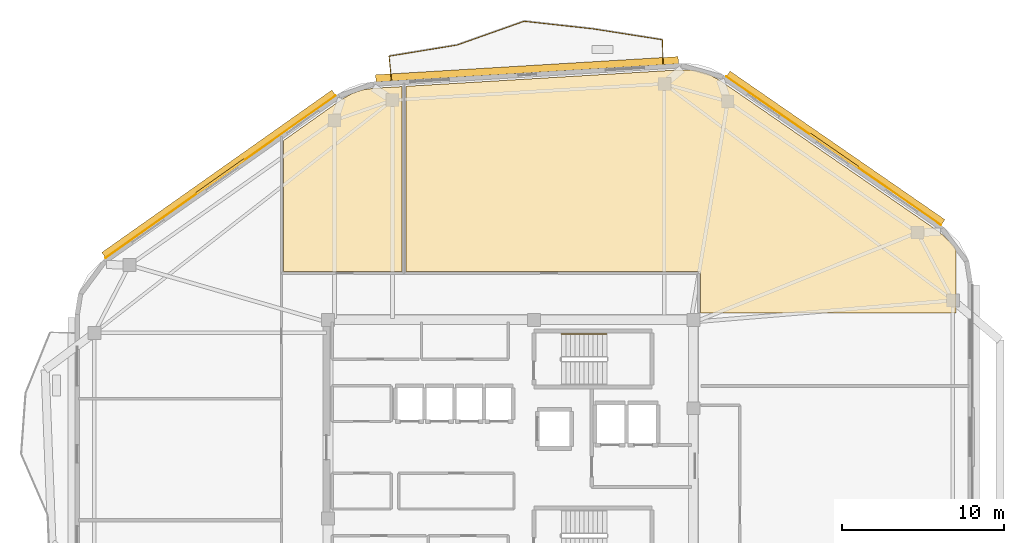
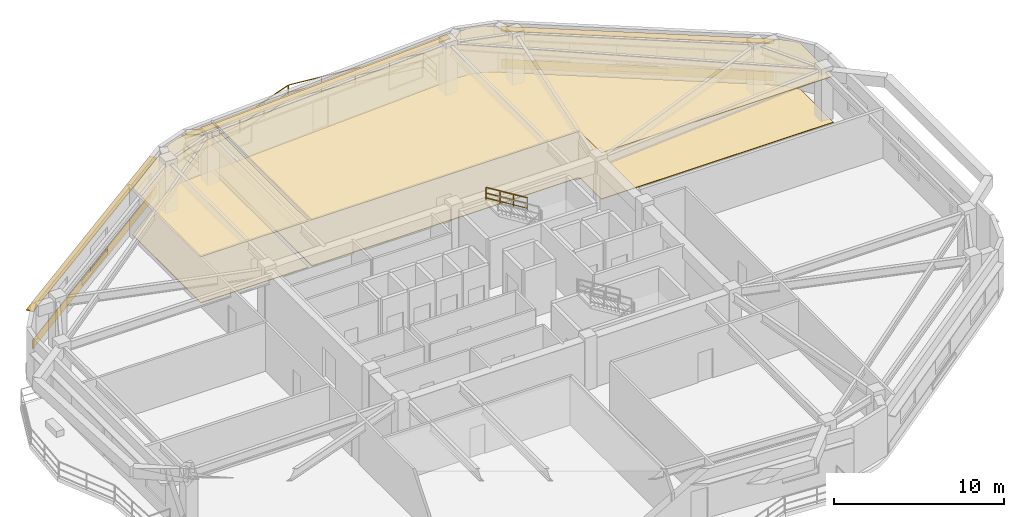
# One storey, part 9 of 9: 7 railings, 6 coverings, 5 shading devices.
"""IFC4 building model written with IfcOpenShell, lengths in metres."""

from ifc_helpers import new_model, si_unit, direction, frame, origin, origin_2d, place, context, subcontext, project, spatial, polyline, rectangle, outline, extrude, material, layer, layer_set, type_object, element, save


model = new_model("IFC4")

# Units and contexts
model_context = context("Model", 3, precision=1e-05, world=origin(), true_north=direction((0.0, 1.0)))
body_context = subcontext(model_context, "Body", "Model", "MODEL_VIEW")
ifc_project = project(units=[si_unit("LENGTHUNIT", "METRE"), si_unit("AREAUNIT", "SQUARE_METRE"), si_unit("VOLUMEUNIT", "CUBIC_METRE"), si_unit("PLANEANGLEUNIT", "RADIAN"), si_unit("MASSUNIT", "GRAM", prefix="KILO")], contexts=[model_context])

# Site, building, storey
site_placement = place(None, origin())
site = spatial("IfcSite", under=ifc_project, at=site_placement, CompositionType="ELEMENT")
building_placement = place(site_placement, origin())
building = spatial("IfcBuilding", under=site, at=building_placement, Name="Zulverin Broadcast Headquarters", CompositionType="ELEMENT")
storey_placement = place(building_placement, frame((0.0, 0.0, 259.199951171875)))
storey = spatial("IfcBuildingStorey", under=building, at=storey_placement, Name="L66", CompositionType="ELEMENT", Elevation=259.199951171875)

# Coverings
ifc_material_1 = material(Name="Perforated pale-metal acoustic baffle ceiling", Category="aluminium")
ifc_layer_1 = layer(ifc_material_1, 0.0400390625, Name="Perforated pale-metal acoustic baffle ceiling", Category="aluminium")
ifc_layer_set_1 = layer_set([ifc_layer_1], Name="Perforated pale-metal acoustic baffle ceiling")
covering_type_1 = type_object("IfcCoveringType", Name="COV-CEIL-ACOU", PredefinedType="CEILING", material=ifc_layer_set_1)
covering_1_placement = place(storey_placement, frame((0.0, 0.0, 3.330078125)))
element("IfcCovering", 1, at=covering_1_placement, inside=storey, type_object=covering_type_1, Name="L66 Acoustic Baffle Ceiling 01", PredefinedType="CEILING", context=body_context, shape_type="SweptSolid", body=[
    extrude(outline(polyline([(30.280029296875, 36.068115234375), (30.280029296875, 47.47607421875), (28.52392578125, 47.3720703125), (27.827880859375, 47.26806640625), (27.18798828125, 47.0400390625), (26.575927734375, 46.69189453125), (22.968017578125, 44.139892578125), (22.968017578125, 36.068115234375), (30.280029296875, 36.068115234375)])), origin(), (0.0, 0.0, 1.0), 0.0400390625),
])
covering_2_placement = place(storey_placement, frame((0.0, 0.0, 3.330078125)))
element("IfcCovering", 2, at=covering_2_placement, inside=storey, type_object=covering_type_1, Name="L66 Acoustic Baffle Ceiling 02", PredefinedType="CEILING", context=body_context, shape_type="SweptSolid", body=[
    extrude(outline(polyline([(49.18798828125, 48.251953125), (48.39990234375, 48.471923828125), (47.56005859375, 48.51611328125), (30.52001953125, 47.491943359375), (30.52001953125, 36.072021484375), (48.56005859375, 36.068115234375), (48.575927734375, 36.068115234375), (48.587890625, 36.068115234375), (48.60009765625, 36.06396484375), (48.60791015625, 36.06396484375), (48.6201171875, 36.06005859375), (48.6279296875, 36.055908203125), (48.635986328125, 36.052001953125), (48.64794921875, 36.0439453125), (48.659912109375, 36.035888671875), (48.66796875, 36.028076171875), (48.676025390625, 36.02001953125), (48.68408203125, 36.011962890625), (48.69189453125, 36.0), (48.699951171875, 35.988037109375), (48.7041015625, 35.97998046875), (48.7080078125, 35.971923828125), (48.7119140625, 35.964111328125), (48.716064453125, 35.951904296875), (48.716064453125, 35.944091796875), (48.719970703125, 35.931884765625), (48.719970703125, 35.919921875), (48.719970703125, 33.5), (64.5, 33.5), (64.5, 37.364013671875), (64.35595703125, 37.64404296875), (63.47607421875, 38.488037109375), (49.924072265625, 47.85205078125), (49.18798828125, 48.251953125)])), origin(), (0.0, 0.0, 1.0), 0.0400390625),
])
ifc_material_2 = material(Name="Brushed pale-aluminium rainscreen cladding", Category="aluminium")
ifc_layer_2 = layer(ifc_material_2, 0.0400390625, Name="Brushed pale-aluminium rainscreen cladding", Category="aluminium")
ifc_layer_set_2 = layer_set([ifc_layer_2], Name="Brushed pale-aluminium rainscreen cladding")
covering_type_2 = type_object("IfcCoveringType", Name="COV-CLAD-PALE", PredefinedType="CLADDING", material=ifc_layer_set_2)
covering_3_placement = place(storey_placement, frame((56.938232421875, 43.505126953125, 0.05517578125), z_axis=(0.0, 0.0, 1.0), x_axis=(-0.822655402653, 0.568540313861, 0.0)))
element("IfcCovering", 3, at=covering_3_placement, inside=storey, type_object=covering_type_2, Name="L66 Brushed Pale-Aluminium Spandrel Cladding 4", PredefinedType="CLADDING", context=body_context, shape_type="SweptSolid", body=[
    extrude(rectangle(XDim=16.1279296875, YDim=0.0400390625, at=origin_2d()), origin(), (0.0, 0.0, 1.0), 0.64990234375),
])
covering_4_placement = place(storey_placement, frame((19.093505859375, 41.9091796875, 0.05517578125), z_axis=(0.0, 0.0, 1.0), x_axis=(-0.817023146348, -0.576604871929, 0.0)))
element("IfcCovering", 4, at=covering_4_placement, inside=storey, type_object=covering_type_2, Name="L66 Brushed Pale-Aluminium Spandrel Cladding 6", PredefinedType="CLADDING", context=body_context, shape_type="SweptSolid", body=[
    extrude(rectangle(XDim=17.3798828125, YDim=0.0400390625, at=origin_2d()), origin(), (0.0, 0.0, 1.0), 0.64990234375),
])
ifc_material_3 = material(Name="Anti-static broadcast raised access flooring", Category="stone")
ifc_layer_3 = layer(ifc_material_3, 0.050048828125, Name="Anti-static broadcast raised access flooring", Category="stone")
ifc_layer_set_3 = layer_set([ifc_layer_3], Name="Anti-static broadcast raised access flooring")
covering_type_3 = type_object("IfcCoveringType", Name="COV-FLR-RAISED", PredefinedType="FLOORING", material=ifc_layer_set_3)
covering_5_placement = place(storey_placement, origin())
element("IfcCovering", 5, at=covering_5_placement, inside=storey, type_object=covering_type_3, Name="L66 Broadcast Raised Access Flooring 01", PredefinedType="FLOORING", context=body_context, shape_type="SweptSolid", body=[
    extrude(outline(polyline([(30.280029296875, 36.068115234375), (30.280029296875, 47.47607421875), (28.52392578125, 47.3720703125), (27.827880859375, 47.26806640625), (27.18798828125, 47.0400390625), (26.575927734375, 46.69189453125), (22.968017578125, 44.139892578125), (22.968017578125, 36.068115234375), (30.280029296875, 36.068115234375)])), origin(), (0.0, 0.0, 1.0), 0.050048828125),
])
covering_6_placement = place(storey_placement, origin())
element("IfcCovering", 6, at=covering_6_placement, inside=storey, type_object=covering_type_3, Name="L66 Broadcast Raised Access Flooring 02", PredefinedType="FLOORING", context=body_context, shape_type="SweptSolid", body=[
    extrude(outline(polyline([(49.18798828125, 48.251953125), (48.39990234375, 48.471923828125), (47.56005859375, 48.51611328125), (30.52001953125, 47.491943359375), (30.52001953125, 36.072021484375), (48.56005859375, 36.068115234375), (48.575927734375, 36.068115234375), (48.587890625, 36.068115234375), (48.60009765625, 36.06396484375), (48.60791015625, 36.06396484375), (48.6201171875, 36.06005859375), (48.6279296875, 36.055908203125), (48.635986328125, 36.052001953125), (48.64794921875, 36.0439453125), (48.659912109375, 36.035888671875), (48.66796875, 36.028076171875), (48.676025390625, 36.02001953125), (48.68408203125, 36.011962890625), (48.69189453125, 36.0), (48.699951171875, 35.988037109375), (48.7041015625, 35.97998046875), (48.7080078125, 35.971923828125), (48.7119140625, 35.964111328125), (48.716064453125, 35.951904296875), (48.716064453125, 35.944091796875), (48.719970703125, 35.931884765625), (48.719970703125, 35.919921875), (48.719970703125, 33.5), (64.5, 33.5), (64.5, 37.364013671875), (64.35595703125, 37.64404296875), (63.47607421875, 38.488037109375), (49.924072265625, 47.85205078125), (49.18798828125, 48.251953125)])), origin(), (0.0, 0.0, 1.0), 0.050048828125),
])

# Railings
ifc_material_4 = material(Name="Brushed stainless steel & laminated glass balustrade", Category="steel")
railing_type_1 = type_object("IfcRailingType", Name="RL-GUARD-1150", PredefinedType="GUARDRAIL", material=ifc_material_4)
railing_1_placement = place(storey_placement, frame((46.397216796875, 48.885498046875, 0.0)))
element("IfcRailing", 7, at=railing_1_placement, inside=storey, type_object=railing_type_1, Name="L66 Vertical-Forest Balcony Guardrail BAL_N Segment 01", PredefinedType="GUARDRAIL", context=body_context, shape_type="SweptSolid", body=[
    extrude(rectangle(XDim=0.048095703125, YDim=0.048095703125, at=origin_2d()), frame((0.0, 0.0, 1.1259765625), z_axis=(-0.019480066399, 0.999810245503, 0.0), x_axis=(-0.999810245503, -0.019480066399, 0.0)), (0.0, 0.0, 1.0), 1.46630859375),
    extrude(rectangle(XDim=0.0419921875, YDim=0.0419921875, at=origin_2d()), frame((0.0, 0.0, 0.597900390625), z_axis=(-0.019480066399, 0.999810245503, 0.0), x_axis=(-0.999810245503, -0.019480066399, 0.0)), (0.0, 0.0, 1.0), 1.46630859375),
    extrude(rectangle(XDim=0.0419921875, YDim=0.0419921875, at=origin_2d()), frame((0.0, 0.0, 0.1201171875), z_axis=(-0.019480066399, 0.999810245503, 0.0), x_axis=(-0.999810245503, -0.019480066399, 0.0)), (0.0, 0.0, 1.0), 1.46630859375),
    extrude(rectangle(XDim=0.0419921875, YDim=0.0419921875, at=origin_2d()), origin(), (0.0, 0.0, 1.0), 1.101806640625),
    extrude(rectangle(XDim=0.0419921875, YDim=0.0419921875, at=origin_2d()), frame((-0.028564453125, 1.466064453125, 0.0)), (0.0, 0.0, 1.0), 1.101806640625),
])
railing_2_placement = place(storey_placement, frame((46.353515625, 50.368896484375, 0.0)))
element("IfcRailing", 8, at=railing_2_placement, inside=storey, type_object=railing_type_1, Name="L66 Vertical-Forest Balcony Guardrail BAL_N Segment 02", PredefinedType="GUARDRAIL", context=body_context, shape_type="SweptSolid", body=[
    extrude(rectangle(XDim=0.048095703125, YDim=0.048095703125, at=origin_2d()), frame((0.0, 0.0, 1.1259765625), z_axis=(-0.987859947103, 0.155347111047, 0.0), x_axis=(-0.155347111047, -0.987859947103, 0.0)), (0.0, 0.0, 1.0), 4.29833984375),
    extrude(rectangle(XDim=0.0419921875, YDim=0.0419921875, at=origin_2d()), frame((0.0, 0.0, 0.597900390625), z_axis=(-0.987859947103, 0.155347111047, 0.0), x_axis=(-0.155347111047, -0.987859947103, 0.0)), (0.0, 0.0, 1.0), 4.29833984375),
    extrude(rectangle(XDim=0.0419921875, YDim=0.0419921875, at=origin_2d()), frame((0.0, 0.0, 0.1201171875), z_axis=(-0.987859947103, 0.155347111047, 0.0), x_axis=(-0.155347111047, -0.987859947103, 0.0)), (0.0, 0.0, 1.0), 4.29833984375),
    extrude(rectangle(XDim=0.0419921875, YDim=0.0419921875, at=origin_2d()), origin(), (0.0, 0.0, 1.0), 1.101806640625),
    extrude(rectangle(XDim=0.0419921875, YDim=0.0419921875, at=origin_2d()), frame((-2.123046875, 0.333984375, 0.0)), (0.0, 0.0, 1.0), 1.101806640625),
    extrude(rectangle(XDim=0.0419921875, YDim=0.0419921875, at=origin_2d()), frame((-4.24609375, 0.667724609375, 0.0)), (0.0, 0.0, 1.0), 1.101806640625),
])
railing_3_placement = place(storey_placement, frame((42.07763671875, 51.04052734375, 0.0)))
element("IfcRailing", 9, at=railing_3_placement, inside=storey, type_object=railing_type_1, Name="L66 Vertical-Forest Balcony Guardrail BAL_N Segment 03", PredefinedType="GUARDRAIL", context=body_context, shape_type="SweptSolid", body=[
    extrude(rectangle(XDim=0.048095703125, YDim=0.048095703125, at=origin_2d()), frame((0.0, 0.0, 1.1259765625), z_axis=(-0.994013759545, 0.109254957943, 0.0), x_axis=(-0.109254957943, -0.994013759545, 0.0)), (0.0, 0.0, 1.0), 4.259033203125),
    extrude(rectangle(XDim=0.0419921875, YDim=0.0419921875, at=origin_2d()), frame((0.0, 0.0, 0.597900390625), z_axis=(-0.994013759545, 0.109254957943, 0.0), x_axis=(-0.109254957943, -0.994013759545, 0.0)), (0.0, 0.0, 1.0), 4.259033203125),
    extrude(rectangle(XDim=0.0419921875, YDim=0.0419921875, at=origin_2d()), frame((0.0, 0.0, 0.1201171875), z_axis=(-0.994013759545, 0.109254957943, 0.0), x_axis=(-0.109254957943, -0.994013759545, 0.0)), (0.0, 0.0, 1.0), 4.259033203125),
    extrude(rectangle(XDim=0.0419921875, YDim=0.0419921875, at=origin_2d()), origin(), (0.0, 0.0, 1.0), 1.101806640625),
    extrude(rectangle(XDim=0.0419921875, YDim=0.0419921875, at=origin_2d()), frame((-2.11669921875, 0.232666015625, 0.0)), (0.0, 0.0, 1.0), 1.101806640625),
    extrude(rectangle(XDim=0.0419921875, YDim=0.0419921875, at=origin_2d()), frame((-4.233642578125, 0.46533203125, 0.0)), (0.0, 0.0, 1.0), 1.101806640625),
])
railing_4_placement = place(storey_placement, frame((37.815185546875, 51.50244140625, 0.0)))
element("IfcRailing", 10, at=railing_4_placement, inside=storey, type_object=railing_type_1, Name="L66 Vertical-Forest Balcony Guardrail BAL_N Segment 04", PredefinedType="GUARDRAIL", context=body_context, shape_type="SweptSolid", body=[
    extrude(rectangle(XDim=0.048095703125, YDim=0.048095703125, at=origin_2d()), frame((0.0, 0.0, 1.1259765625), z_axis=(-0.942741464869, -0.333524407527, 0.0), x_axis=(0.333524407527, -0.942741464869, 0.0)), (0.0, 0.0, 1.0), 4.369384765625),
    extrude(rectangle(XDim=0.0419921875, YDim=0.0419921875, at=origin_2d()), frame((0.0, 0.0, 0.597900390625), z_axis=(-0.942741464869, -0.333524407527, 0.0), x_axis=(0.333524407527, -0.942741464869, 0.0)), (0.0, 0.0, 1.0), 4.369384765625),
    extrude(rectangle(XDim=0.0419921875, YDim=0.0419921875, at=origin_2d()), frame((0.0, 0.0, 0.1201171875), z_axis=(-0.942741464869, -0.333524407527, 0.0), x_axis=(0.333524407527, -0.942741464869, 0.0)), (0.0, 0.0, 1.0), 4.369384765625),
    extrude(rectangle(XDim=0.0419921875, YDim=0.0419921875, at=origin_2d()), origin(), (0.0, 0.0, 1.0), 1.101806640625),
    extrude(rectangle(XDim=0.0419921875, YDim=0.0419921875, at=origin_2d()), frame((-2.0595703125, -0.728515625, 0.0)), (0.0, 0.0, 1.0), 1.101806640625),
    extrude(rectangle(XDim=0.0419921875, YDim=0.0419921875, at=origin_2d()), frame((-4.119140625, -1.457275390625, 0.0)), (0.0, 0.0, 1.0), 1.101806640625),
])
railing_5_placement = place(storey_placement, frame((33.6669921875, 50.037841796875, 0.0)))
element("IfcRailing", 11, at=railing_5_placement, inside=storey, type_object=railing_type_1, Name="L66 Vertical-Forest Balcony Guardrail BAL_N Segment 05", PredefinedType="GUARDRAIL", context=body_context, shape_type="SweptSolid", body=[
    extrude(rectangle(XDim=0.048095703125, YDim=0.048095703125, at=origin_2d()), frame((0.0, 0.0, 1.1259765625), z_axis=(-0.98683901874, -0.161705754668, 0.0), x_axis=(0.161705754668, -0.98683901874, 0.0)), (0.0, 0.0, 1.0), 4.2197265625),
    extrude(rectangle(XDim=0.0419921875, YDim=0.0419921875, at=origin_2d()), frame((0.0, 0.0, 0.597900390625), z_axis=(-0.98683901874, -0.161705754668, 0.0), x_axis=(0.161705754668, -0.98683901874, 0.0)), (0.0, 0.0, 1.0), 4.2197265625),
    extrude(rectangle(XDim=0.0419921875, YDim=0.0419921875, at=origin_2d()), frame((0.0, 0.0, 0.1201171875), z_axis=(-0.98683901874, -0.161705754668, 0.0), x_axis=(0.161705754668, -0.98683901874, 0.0)), (0.0, 0.0, 1.0), 4.2197265625),
    extrude(rectangle(XDim=0.0419921875, YDim=0.0419921875, at=origin_2d()), origin(), (0.0, 0.0, 1.0), 1.101806640625),
    extrude(rectangle(XDim=0.0419921875, YDim=0.0419921875, at=origin_2d()), frame((-2.08203125, -0.34130859375, 0.0)), (0.0, 0.0, 1.0), 1.101806640625),
    extrude(rectangle(XDim=0.0419921875, YDim=0.0419921875, at=origin_2d()), frame((-4.164306640625, -0.682373046875, 0.0)), (0.0, 0.0, 1.0), 1.101806640625),
])
railing_6_placement = place(storey_placement, frame((29.489501953125, 49.338134765625, 0.0)))
element("IfcRailing", 12, at=railing_6_placement, inside=storey, type_object=railing_type_1, Name="L66 Vertical-Forest Balcony Guardrail BAL_N Segment 06", PredefinedType="GUARDRAIL", context=body_context, shape_type="SweptSolid", body=[
    extrude(rectangle(XDim=0.048095703125, YDim=0.048095703125, at=origin_2d()), frame((0.0, 0.0, 1.1259765625), z_axis=(0.100245616419, -0.994962721105, 0.0), x_axis=(0.994962721105, 0.100245616419, 0.0)), (0.0, 0.0, 1.0), 1.466064453125),
    extrude(rectangle(XDim=0.0419921875, YDim=0.0419921875, at=origin_2d()), frame((0.0, 0.0, 0.597900390625), z_axis=(0.100245616419, -0.994962721105, 0.0), x_axis=(0.994962721105, 0.100245616419, 0.0)), (0.0, 0.0, 1.0), 1.466064453125),
    extrude(rectangle(XDim=0.0419921875, YDim=0.0419921875, at=origin_2d()), frame((0.0, 0.0, 0.1201171875), z_axis=(0.100245616419, -0.994962721105, 0.0), x_axis=(0.994962721105, 0.100245616419, 0.0)), (0.0, 0.0, 1.0), 1.466064453125),
    extrude(rectangle(XDim=0.0419921875, YDim=0.0419921875, at=origin_2d()), origin(), (0.0, 0.0, 1.0), 1.101806640625),
    extrude(rectangle(XDim=0.0419921875, YDim=0.0419921875, at=origin_2d()), frame((0.14697265625, -1.458740234375, 0.0)), (0.0, 0.0, 1.0), 1.101806640625),
])
ifc_material_5 = material(Name="Brushed stainless steel 48 mm handrail", Category="steel")
railing_type_2 = type_object("IfcRailingType", Name="RL-ST-HAND", PredefinedType="HANDRAIL", material=ifc_material_5)
railing_7_placement = place(storey_placement, frame((42.929931640625, 32.199951171875, 2.07275390625)))
element("IfcRailing", 13, at=railing_7_placement, inside=storey, type_object=railing_type_2, Name="L66 ST-1 stair handrail 2", PredefinedType="HANDRAIL", context=body_context, shape_type="SweptSolid", body=[
    extrude(rectangle(XDim=0.048095703125, YDim=0.048095703125, at=origin_2d()), frame((0.0, 0.0, 0.8759765625), z_axis=(-0.851089632645, 0.0, 0.525020415988), x_axis=(0.0, -1.0, 0.0)), (0.0, 0.0, 1.0), 3.2900390625),
    extrude(rectangle(XDim=0.0419921875, YDim=0.0419921875, at=origin_2d()), frame((0.0, 0.0, 0.468017578125), z_axis=(-0.851089632645, 0.0, 0.525020415988), x_axis=(0.0, -1.0, 0.0)), (0.0, 0.0, 1.0), 3.2900390625),
    extrude(rectangle(XDim=0.0419921875, YDim=0.0419921875, at=origin_2d()), frame((0.0, 0.0, 0.1201171875), z_axis=(-0.851089632645, 0.0, 0.525020415988), x_axis=(0.0, -1.0, 0.0)), (0.0, 0.0, 1.0), 3.2900390625),
    extrude(rectangle(XDim=0.0419921875, YDim=0.0419921875, at=origin_2d()), origin(), (0.0, 0.0, 1.0), 0.851806640625),
    extrude(rectangle(XDim=0.0419921875, YDim=0.0419921875, at=origin_2d()), frame((-0.933349609375, 0.0, 0.57568359375)), (0.0, 0.0, 1.0), 0.851806640625),
    extrude(rectangle(XDim=0.0419921875, YDim=0.0419921875, at=origin_2d()), frame((-1.86669921875, 0.0, 1.151611328125)), (0.0, 0.0, 1.0), 0.851806640625),
    extrude(rectangle(XDim=0.0419921875, YDim=0.0419921875, at=origin_2d()), frame((-2.800048828125, 0.0, 1.727294921875)), (0.0, 0.0, 1.0), 0.851806640625),
])

# Shading devices
ifc_material_6 = material(Name="Anodized pale-metal aluminium acoustic louvre", Category="aluminium")
shading_device_type_1 = type_object("IfcShadingDeviceType", Name="SHD-LOUVRE-350", PredefinedType="USERDEFINED", material=ifc_material_6)
for number, where, z_axis, x_axis, name in (
    (14, (56.955322265625, 43.52978515625, 0.2451171875), (0.0, 0.0, 1.0), (-0.822655402653, 0.568540313861, 0.0), "L66 Spandrel Intake Louvre 4"),
    (15, (19.076171875, 41.933837890625, 0.2451171875), (0.0, 0.0, 1.0), (-0.817023146348, -0.576604871929, 0.0), "L66 Spandrel Intake Louvre 6"),
):
    element("IfcShadingDevice", number, at=place(storey_placement, frame(where, z_axis=z_axis, x_axis=x_axis)), inside=storey, type_object=shading_device_type_1, Name=name, ObjectType="LOUVRE", PredefinedType="USERDEFINED", context=body_context, shape_type="SweptSolid", body=[
        extrude(rectangle(XDim=3.60009765625, YDim=0.1201171875, at=origin_2d()), origin(), (0.0, 0.0, 1.0), 0.35009765625),
    ])
ifc_material_7 = material(Name="Anodized pale-metal aluminium sunshade", Category="aluminium")
ifc_layer_4 = layer(ifc_material_7, 0.06005859375, Name="Anodized pale-metal aluminium sunshade", Category="aluminium")
ifc_layer_set_4 = layer_set([ifc_layer_4], Name="Anodized pale-metal aluminium sunshade")
shading_device_type_2 = type_object("IfcShadingDeviceType", Name="SS-01_PALE_METAL_ALUMINIUM_SUNSHADE", PredefinedType="USERDEFINED", material=ifc_layer_set_4)
shading_device_1_placement = place(storey_placement, frame((57.04638671875, 43.66162109375, 2.7099609375), z_axis=(0.0, 0.0, 1.0), x_axis=(-0.822655402653, 0.568540313861, 0.0)))
element("IfcShadingDevice", 16, at=shading_device_1_placement, inside=storey, type_object=shading_device_type_2, Name="L66 Horizontal Pale-Metal Sunshade Band 4", ObjectType="SUNSHADE", PredefinedType="USERDEFINED", context=body_context, shape_type="SweptSolid", body=[
    extrude(rectangle(XDim=16.1279296875, YDim=0.449951171875, at=origin_2d()), origin(), (0.0, 0.0, 1.0), 0.06005859375),
])
shading_device_2_placement = place(storey_placement, frame((38.007080078125, 48.542236328125, 2.7099609375), z_axis=(0.0, 0.0, 1.0), x_axis=(-0.99820257679, -0.059930090026, 0.0)))
element("IfcShadingDevice", 17, at=shading_device_2_placement, inside=storey, type_object=shading_device_type_2, Name="L66 Horizontal Pale-Metal Sunshade Band 5", ObjectType="SUNSHADE", PredefinedType="USERDEFINED", context=body_context, shape_type="SweptSolid", body=[
    extrude(rectangle(XDim=18.710693359375, YDim=0.449951171875, at=origin_2d()), origin(), (0.0, 0.0, 1.0), 0.06005859375),
])
shading_device_3_placement = place(storey_placement, frame((18.98388671875, 42.064453125, 2.7099609375), z_axis=(0.0, 0.0, 1.0), x_axis=(-0.817023146348, -0.576604871929, 0.0)))
element("IfcShadingDevice", 18, at=shading_device_3_placement, inside=storey, type_object=shading_device_type_2, Name="L66 Horizontal Pale-Metal Sunshade Band 6", ObjectType="SUNSHADE", PredefinedType="USERDEFINED", context=body_context, shape_type="SweptSolid", body=[
    extrude(rectangle(XDim=17.3798828125, YDim=0.449951171875, at=origin_2d()), origin(), (0.0, 0.0, 1.0), 0.06005859375),
])

save(model, "model.ifc")
